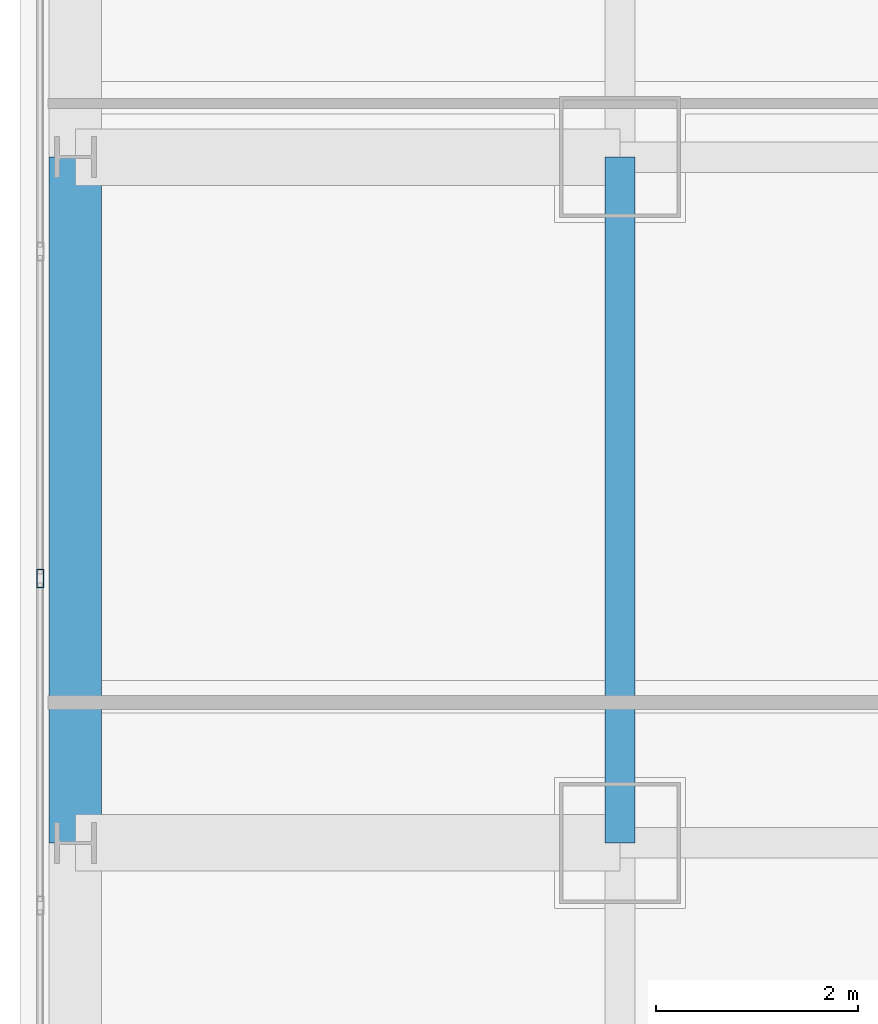
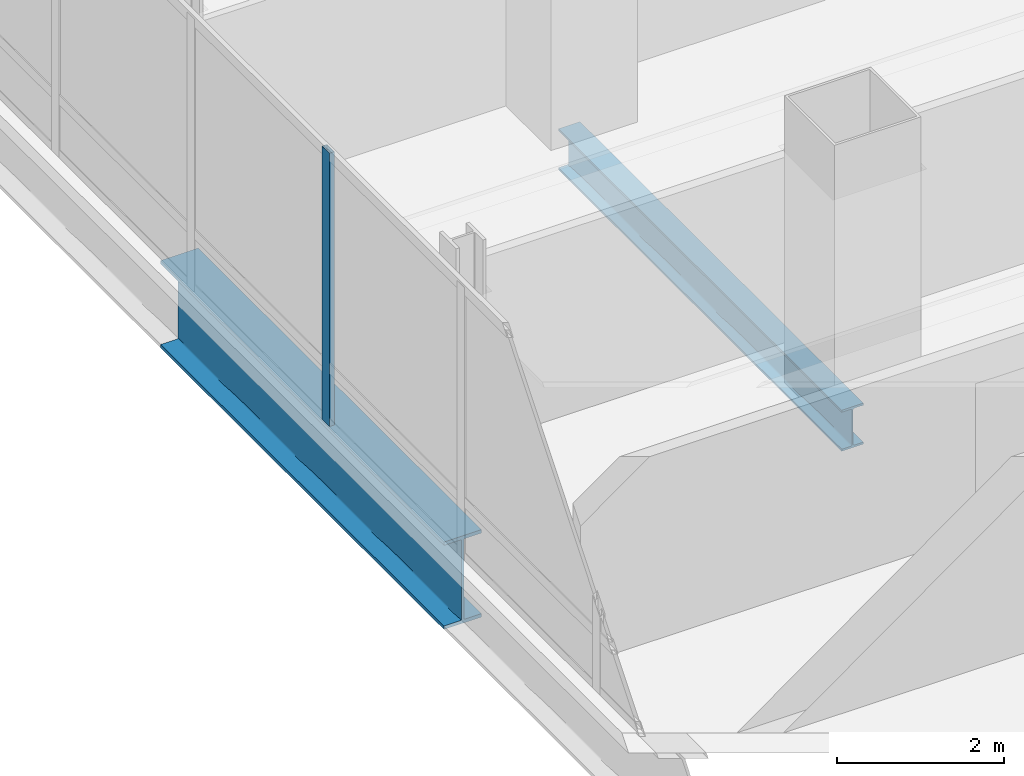
# One storey, part 12 of 42: 2 beams, 1 member, 1 element without a shape of its own.
"""IFC4 building model written with IfcOpenShell, lengths in metres."""

from ifc_helpers import new_model, si_unit, direction, frame, origin, origin_2d, place, context, subcontext, project, spatial, hollow_rectangle, i_section, extrude, material, material_profile, profile_set, type_object, element, aggregate, save


model = new_model("IFC4")

# Units and contexts
model_context = context("Model", 3, precision=1e-05, world=origin(), true_north=direction((0.0, 1.0)))
body_context = subcontext(model_context, "Body", "Model", "MODEL_VIEW")
ifc_project = project(units=[si_unit("LENGTHUNIT", "METRE"), si_unit("AREAUNIT", "SQUARE_METRE"), si_unit("VOLUMEUNIT", "CUBIC_METRE"), si_unit("PLANEANGLEUNIT", "RADIAN"), si_unit("MASSUNIT", "GRAM", prefix="KILO")], contexts=[model_context])

# Site, building, storey
site_placement = place(None, origin())
site = spatial("IfcSite", under=ifc_project, at=site_placement, CompositionType="ELEMENT")
building_placement = place(site_placement, origin())
building = spatial("IfcBuilding", under=site, at=building_placement, Name="Punatoya Terracotta Tower", CompositionType="ELEMENT")
storey_placement = place(building_placement, frame((0.0, 0.0, 325.800048828125)))
storey = spatial("IfcBuildingStorey", under=building, at=storey_placement, Name="L77", CompositionType="ELEMENT", Elevation=325.800048828125)

# Beams
ifc_material_1 = material(Name="Steel S355", Category="steel")
ifc_material_profile_1 = material_profile(ifc_material_1, i_section(OverallWidth=0.300048828125, OverallDepth=0.60009765625, WebThickness=0.015380859375, FlangeThickness=0.030029296875, FilletRadius=0.01806640625, at=origin_2d()))
ifc_profile_set_1 = profile_set([ifc_material_profile_1], Name="Steel S355")
beam_type_1 = type_object("IfcBeamType", Name="BM-PRI-600", PredefinedType="BEAM", material=ifc_profile_set_1)
beam_1_placement = place(storey_placement, frame((-19.10009765625, -3.39990234375, -0.5), z_axis=(0.0, 1.0, 0.0), x_axis=(-1.0, 0.0, 0.0)))
element("IfcBeam", 1, at=beam_1_placement, inside=storey, type_object=beam_type_1, Name="BM-L77-RG-W2", PredefinedType="BEAM", context=body_context, shape_type="SweptSolid", body=[
    extrude(i_section(OverallWidth=0.300048828125, OverallDepth=0.60009765625, WebThickness=0.015380859375, FlangeThickness=0.030029296875, FilletRadius=0.01806640625, at=origin_2d()), origin(), (0.0, 0.0, 1.0), 6.7998046875),
])
ifc_material_2 = material(Name="Steel S460", Category="steel")
ifc_material_profile_2 = material_profile(ifc_material_2, i_section(OverallWidth=0.52001953125, OverallDepth=1.280029296875, WebThickness=0.031982421875, FlangeThickness=0.050048828125, FilletRadius=0.01806640625, at=origin_2d()))
ifc_profile_set_2 = profile_set([ifc_material_profile_2], Name="Steel S460")
beam_type_2 = type_object("IfcBeamType", Name="BM-TG-NCK", PredefinedType="BEAM", material=ifc_profile_set_2)
beam_2_placement = place(storey_placement, frame((-24.5, -3.39990234375, -0.840087890625), z_axis=(0.0, 1.0, 0.0), x_axis=(-1.0, 0.0, 0.0)))
element("IfcBeam", 2, at=beam_2_placement, inside=storey, type_object=beam_type_2, Name="BM-L77-PER-W2", PredefinedType="BEAM", context=body_context, shape_type="SweptSolid", body=[
    extrude(i_section(OverallWidth=0.52001953125, OverallDepth=1.280029296875, WebThickness=0.031982421875, FlangeThickness=0.050048828125, FilletRadius=0.01806640625, at=origin_2d()), origin(), (0.0, 0.0, 1.0), 6.7998046875),
])

# Curtain wall, member
ifc_material_3 = material(Name="Aluminium 6063-T6 + Double Low-E Glass", Category="aluminium")
curtain_wall_type = type_object("IfcCurtainWallType", Name="CW-OBS", PredefinedType="NOTDEFINED", material=ifc_material_3)
curtain_wall_placement = place(storey_placement, origin())
curtain_wall = element("IfcCurtainWall", 3, at=curtain_wall_placement, inside=storey, type_object=curtain_wall_type, Name="L77 Curtain Wall CW-L77-W13-1", PredefinedType="NOTDEFINED")
ifc_material_4 = material(Name="Aluminium 6063-T6", Category="aluminium")
ifc_material_profile_3 = material_profile(ifc_material_4, hollow_rectangle(XDim=0.070068359375, YDim=0.179931640625, WallThickness=0.00390625, at=origin_2d()))
ifc_profile_set_3 = profile_set([ifc_material_profile_3], Name="Aluminium 6063-T6")
member_type = type_object("IfcMemberType", Name="CW-MUL-M3", PredefinedType="MULLION", material=ifc_profile_set_3)
member_placement = place(storey_placement, frame((-24.85009765625, -0.778564453125, 0.0), z_axis=(0.0, 0.0, 1.0), x_axis=(1.0, 0.0, 0.0)))
member = element("IfcMember", 4, at=member_placement, type_object=member_type, Name="CW-L77-W13-1 Mullion 05", PredefinedType="MULLION", context=body_context, shape_type="SweptSolid", body=[
    extrude(hollow_rectangle(XDim=0.070068359375, YDim=0.179931640625, WallThickness=0.00390625, at=origin_2d()), origin(), (0.0, 0.0, 1.0), 4.0),
])
aggregate(curtain_wall, [member])

save(model, "model.ifc")
